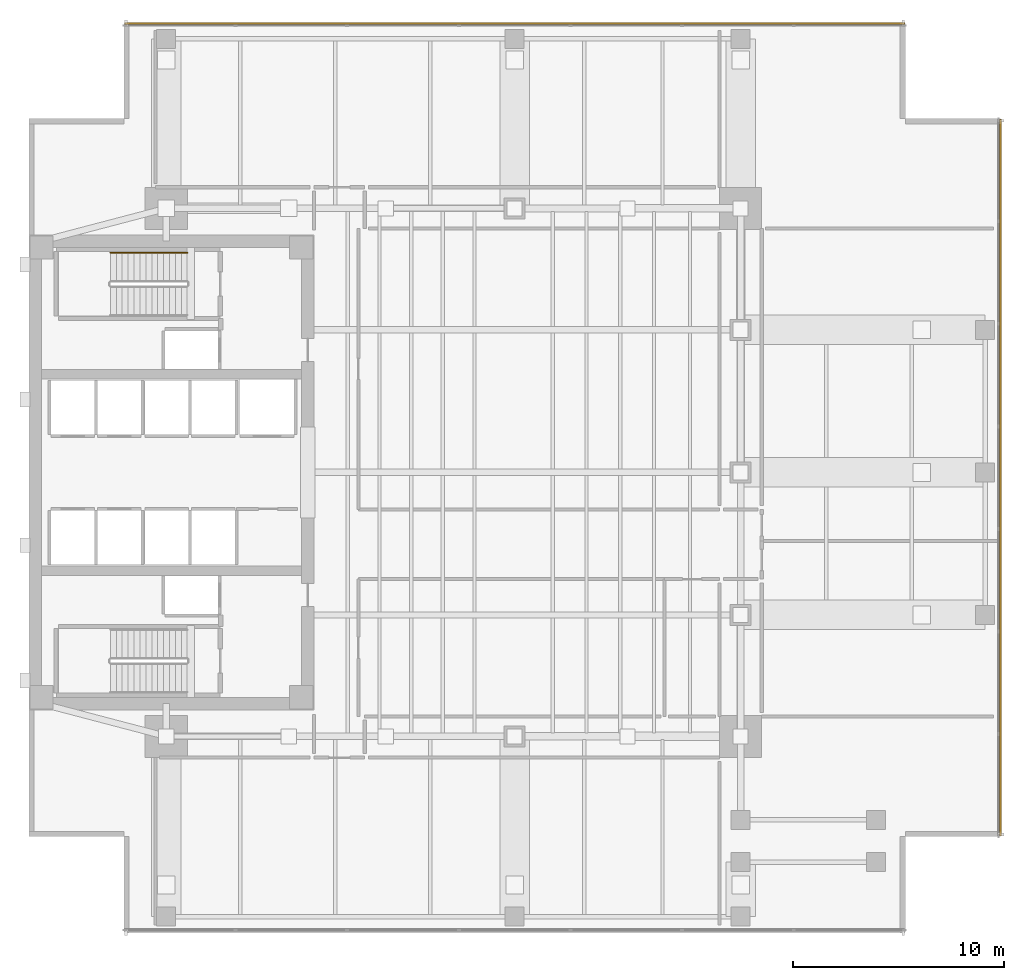
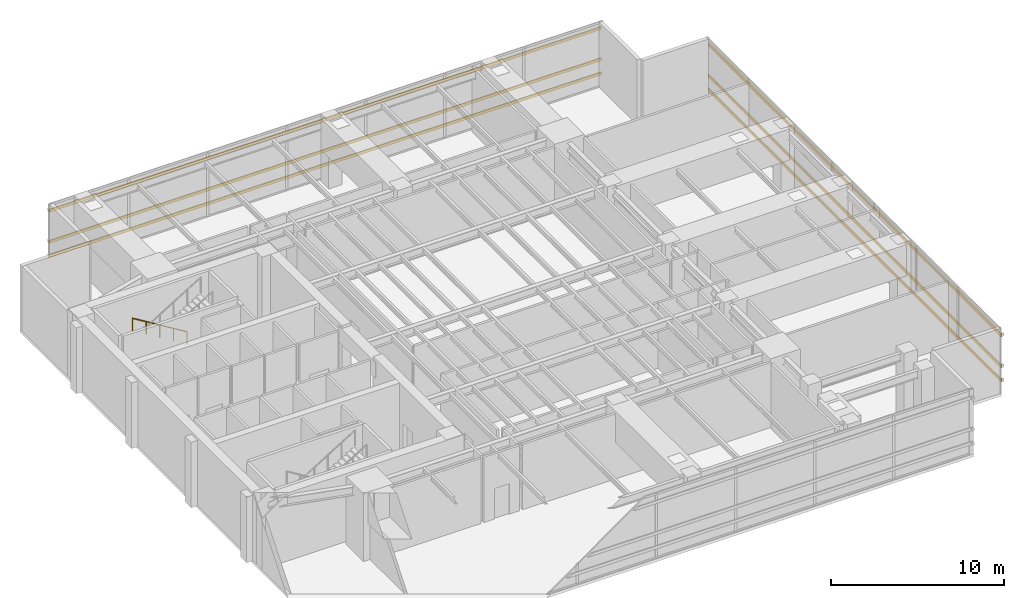
# One storey, part 14 of 14: 6 shading devices, 1 railing.
"""IFC4 building model written with IfcOpenShell, lengths in metres."""

from ifc_helpers import new_model, si_unit, direction, frame, origin, origin_2d, place, context, subcontext, project, spatial, rectangle, circle, extrude, material, material_profile, profile_set, type_object, element, save


model = new_model("IFC4")

# Units and contexts
model_context = context("Model", 3, precision=1e-05, world=origin(), true_north=direction((0.0, 1.0)))
body_context = subcontext(model_context, "Body", "Model", "MODEL_VIEW")
ifc_project = project(units=[si_unit("LENGTHUNIT", "METRE"), si_unit("AREAUNIT", "SQUARE_METRE"), si_unit("VOLUMEUNIT", "CUBIC_METRE"), si_unit("PLANEANGLEUNIT", "RADIAN"), si_unit("MASSUNIT", "GRAM", prefix="KILO")], contexts=[model_context])

# Site, building, storey
site_placement = place(None, origin())
site = spatial("IfcSite", under=ifc_project, at=site_placement, CompositionType="ELEMENT")
building_placement = place(site_placement, origin())
building = spatial("IfcBuilding", under=site, at=building_placement, Name="Kinhvarn Gate Tower", CompositionType="ELEMENT")
storey_placement = place(building_placement, frame((0.0, 0.0, 173.25)))
storey = spatial("IfcBuildingStorey", under=building, at=storey_placement, Name="L46", CompositionType="ELEMENT", Elevation=173.25)

# Railing
ifc_material_1 = material(Name="Steel S355", Category="steel")
railing_type = type_object("IfcRailingType", Name="RL-ST-HND", PredefinedType="HANDRAIL", material=ifc_material_1)
railing_placement = place(storey_placement, frame((12.0, 35.64990234375, 0.17138671875)))
element("IfcRailing", 1, at=railing_placement, inside=storey, type_object=railing_type, Name="L46 ST2 stair handrail 1", PredefinedType="HANDRAIL", context=body_context, shape_type="SweptSolid", body=[
    extrude(circle(Radius=0.02392578125, at=origin_2d()), frame((0.0, 0.0, 0.8759765625), z_axis=(-0.852850264322, 0.0, 0.5221555579), x_axis=(0.0, -1.0, 0.0)), (0.0, 0.0, 1.0), 4.267822265625),
    extrude(circle(Radius=0.02099609375, at=origin_2d()), origin(), (0.0, 0.0, 1.0), 0.851806640625),
    extrude(circle(Radius=0.02099609375, at=origin_2d()), frame((-0.909912109375, 0.0, 0.55712890625)), (0.0, 0.0, 1.0), 0.851806640625),
    extrude(circle(Radius=0.02099609375, at=origin_2d()), frame((-1.81982421875, 0.0, 1.1142578125)), (0.0, 0.0, 1.0), 0.851806640625),
    extrude(circle(Radius=0.02099609375, at=origin_2d()), frame((-2.72998046875, 0.0, 1.67138671875)), (0.0, 0.0, 1.0), 0.851806640625),
    extrude(circle(Radius=0.02099609375, at=origin_2d()), frame((-3.639892578125, 0.0, 2.228515625)), (0.0, 0.0, 1.0), 0.851806640625),
])

# Shading devices
ifc_material_2 = material(Name="Anodised aluminium AW-6063", Category="aluminium")
ifc_material_profile = material_profile(ifc_material_2, rectangle(XDim=0.074951171875, YDim=0.199951171875, at=origin_2d()), Name="LOUVRE 75x200")
ifc_profile_set = profile_set([ifc_material_profile], Name="Anodised aluminium AW-6063")
shading_device_type = type_object("IfcShadingDeviceType", Name="SHD-LVR-200", PredefinedType="JALOUSIE", material=ifc_profile_set)
for number, where, z_axis, x_axis, name in (
    (2, (45.9599609375, 46.512451171875, 0.85009765625), (-1.0, 0.0, 0.0), (0.0, -1.0, 0.0), "Anodised Aluminium Acoustic Plant Louvre Blade 75x200 mm (L46)"),
    (3, (45.9599609375, 46.512451171875, 1.85009765625), (-1.0, 0.0, 0.0), (0.0, -1.0, 0.0), "Anodised Aluminium Acoustic Plant Louvre Blade 75x200 mm (L46)"),
    (4, (45.9599609375, 46.512451171875, 4.050048828125), (-1.0, 0.0, 0.0), (0.0, -1.0, 0.0), "Anodised Aluminium Acoustic Plant Louvre Blade 75x200 mm (L46)"),
):
    element("IfcShadingDevice", number, at=place(storey_placement, frame(where, z_axis=z_axis, x_axis=x_axis)), inside=storey, type_object=shading_device_type, Name=name, PredefinedType="JALOUSIE", context=body_context, shape_type="SweptSolid", body=[
        extrude(rectangle(XDim=0.074951171875, YDim=0.199951171875, at=origin_2d()), origin(), (0.0, 0.0, 1.0), 36.919921875),
    ])
for number, where, z_axis, x_axis, name in (
    (5, (50.512451171875, 8.0400390625, 0.85009765625), (0.0, 1.0, 0.0), (-1.0, 0.0, 0.0), "Anodised Aluminium Acoustic Plant Louvre Blade 75x200 mm (L46)"),
    (6, (50.512451171875, 8.0400390625, 1.85009765625), (0.0, 1.0, 0.0), (-1.0, 0.0, 0.0), "Anodised Aluminium Acoustic Plant Louvre Blade 75x200 mm (L46)"),
    (7, (50.512451171875, 8.0400390625, 4.050048828125), (0.0, 1.0, 0.0), (-1.0, 0.0, 0.0), "Anodised Aluminium Acoustic Plant Louvre Blade 75x200 mm (L46)"),
):
    element("IfcShadingDevice", number, at=place(storey_placement, frame(where, z_axis=z_axis, x_axis=x_axis)), inside=storey, type_object=shading_device_type, Name=name, PredefinedType="JALOUSIE", context=body_context, shape_type="SweptSolid", body=[
        extrude(rectangle(XDim=0.074951171875, YDim=0.199951171875, at=origin_2d()), origin(), (0.0, 0.0, 1.0), 33.919921875),
    ])

save(model, "model.ifc")
